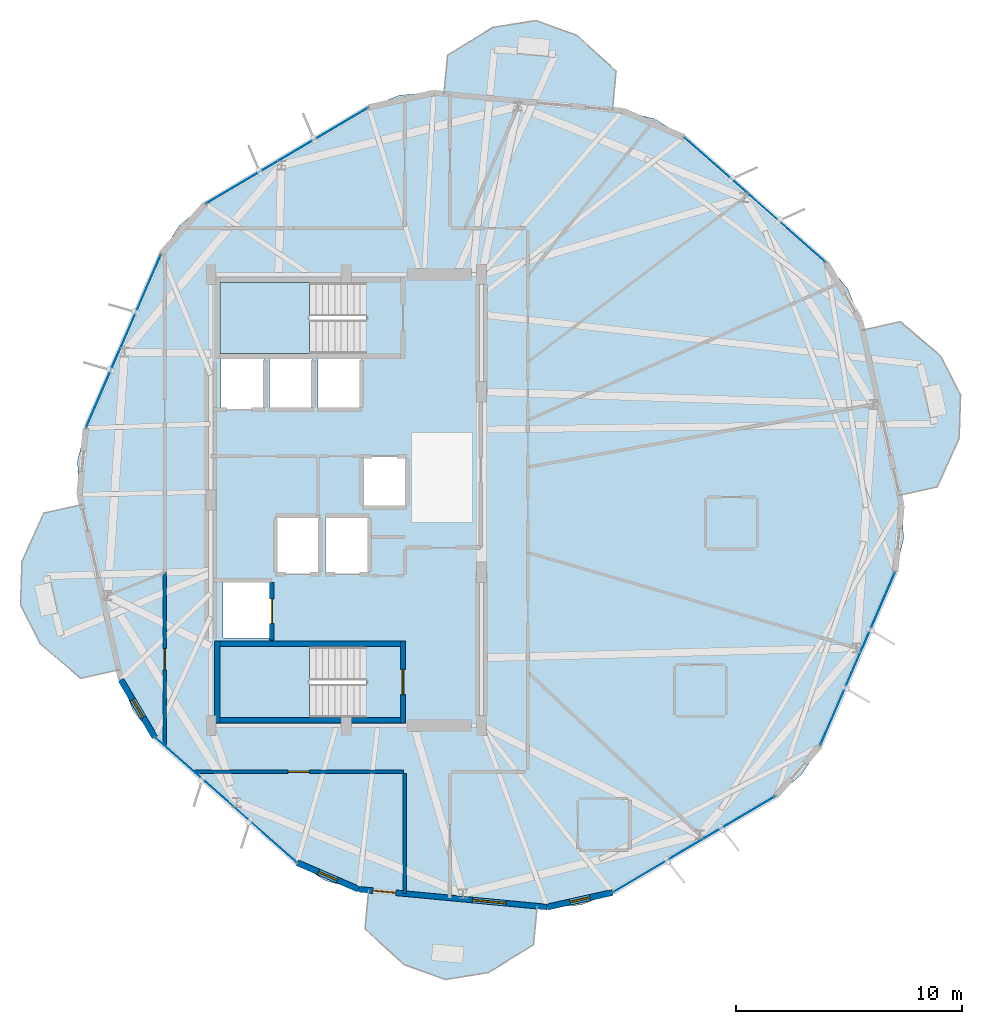
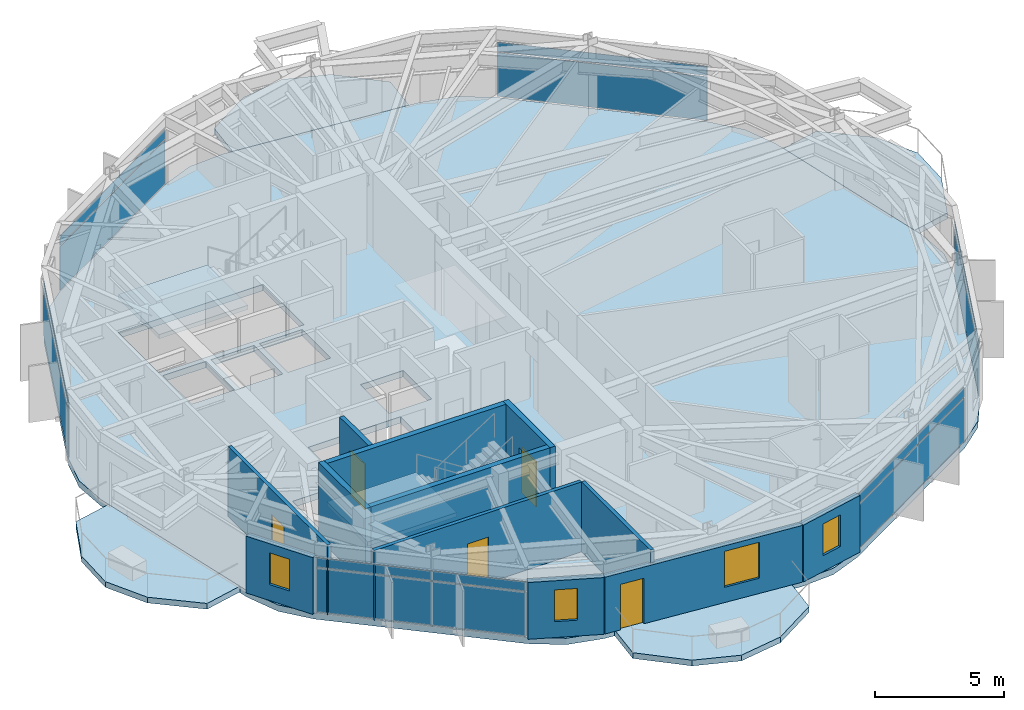
# One storey, part 15 of 21: 12 plates, 12 walls, 7 slabs, 5 doors, 4 windows, 9 openings, 8 elements without a shape of their own.
"""IFC4 building model written with IfcOpenShell, lengths in metres."""

from ifc_helpers import new_model, si_unit, direction, frame, frame_2d, origin, origin_2d, place, context, subcontext, project, spatial, polyline, rectangle, outline, extrude, material, layer, layer_set, type_object, element, fill, aggregate, save


model = new_model("IFC4")

# Units and contexts
model_context = context("Model", 3, precision=1e-05, world=origin(), true_north=direction((0.0, 1.0)))
body_context = subcontext(model_context, "Body", "Model", "MODEL_VIEW")
ifc_project = project(units=[si_unit("LENGTHUNIT", "METRE"), si_unit("AREAUNIT", "SQUARE_METRE"), si_unit("VOLUMEUNIT", "CUBIC_METRE"), si_unit("PLANEANGLEUNIT", "RADIAN"), si_unit("MASSUNIT", "GRAM", prefix="KILO")], contexts=[model_context])

# Site, building, storey
site_placement = place(None, origin())
site = spatial("IfcSite", under=ifc_project, at=site_placement, CompositionType="ELEMENT")
building_placement = place(site_placement, origin())
building = spatial("IfcBuilding", under=site, at=building_placement, Name="Soratama Intermodal Tower", CompositionType="ELEMENT")
storey_placement = place(building_placement, frame((0.0, 0.0, 146.199951171875)))
storey = spatial("IfcBuildingStorey", under=building, at=storey_placement, Name="L35", CompositionType="ELEMENT", Elevation=146.199951171875)

# Curtain wall, plates
ifc_material_1 = material(Name="Double-glazed aluminium curtain wall", Category="aluminium")
ifc_layer_1 = layer(ifc_material_1, 0.159912109375)
ifc_layer_set_1 = layer_set([ifc_layer_1], Name="Double-glazed aluminium curtain wall")
curtain_wall_type = type_object("IfcCurtainWallType", Name="CW-SYS-4", PredefinedType="NOTDEFINED", material=ifc_layer_set_1)
curtain_wall_1_placement = place(storey_placement, origin())
curtain_wall_1 = element("IfcCurtainWall", 1, at=curtain_wall_1_placement, inside=storey, type_object=curtain_wall_type, Name="L35 Faceted Curtain Wall F01", PredefinedType="NOTDEFINED")
ifc_material_2 = material(Name="Low-E laminated double glazing", Category="glass")
ifc_layer_2 = layer(ifc_material_2, 0.02392578125)
ifc_layer_set_2 = layer_set([ifc_layer_2], Name="Low-E laminated double glazing")
plate_type = type_object("IfcPlateType", Name="PT-CWP-4", PredefinedType="CURTAIN_PANEL", material=ifc_layer_set_2)
plate_1_placement = place(storey_placement, frame((56.7275390625, 38.302490234375, 0.06005859375), z_axis=(0.0, 0.0, 1.0), x_axis=(-0.750113474035, 0.661309138052, 0.0)))
plate_1 = element("IfcPlate", 2, at=plate_1_placement, type_object=plate_type, Name="CW-4 panel 1.1", PredefinedType="CURTAIN_PANEL", context=body_context, shape_type="SweptSolid", body=[
    extrude(rectangle(XDim=8.284912109375, YDim=0.028076171875, at=origin_2d()), origin(), (0.0, 0.0, 1.0), 2.06005859375),
])
plate_2_placement = place(storey_placement, frame((56.7275390625, 38.302490234375, 2.18017578125), z_axis=(0.0, 0.0, 1.0), x_axis=(-0.750113474035, 0.661309138052, 0.0)))
plate_2 = element("IfcPlate", 3, at=plate_2_placement, type_object=plate_type, Name="CW-4 panel 1.2", PredefinedType="CURTAIN_PANEL", context=body_context, shape_type="SweptSolid", body=[
    extrude(rectangle(XDim=8.284912109375, YDim=0.028076171875, at=origin_2d()), origin(), (0.0, 0.0, 1.0), 0.43896484375),
])
aggregate(curtain_wall_1, [plate_1, plate_2])

curtain_wall_2_placement = place(storey_placement, origin())
curtain_wall_2 = element("IfcCurtainWall", 4, at=curtain_wall_2_placement, inside=storey, type_object=curtain_wall_type, Name="L35 Faceted Curtain Wall F03", PredefinedType="NOTDEFINED")
plate_3_placement = place(storey_placement, frame((35.97265625, 40.264404296875, 0.06005859375), z_axis=(0.0, 0.0, 1.0), x_axis=(-0.860740534679, -0.509043939125, 0.0)))
plate_3 = element("IfcPlate", 5, at=plate_3_placement, type_object=plate_type, Name="CW-4 panel 1.1", PredefinedType="CURTAIN_PANEL", context=body_context, shape_type="SweptSolid", body=[
    extrude(rectangle(XDim=8.284912109375, YDim=0.028076171875, at=origin_2d()), origin(), (0.0, 0.0, 1.0), 2.06005859375),
])
plate_4_placement = place(storey_placement, frame((35.97265625, 40.264404296875, 2.18017578125), z_axis=(0.0, 0.0, 1.0), x_axis=(-0.860740534679, -0.509043939125, 0.0)))
plate_4 = element("IfcPlate", 6, at=plate_4_placement, type_object=plate_type, Name="CW-4 panel 1.2", PredefinedType="CURTAIN_PANEL", context=body_context, shape_type="SweptSolid", body=[
    extrude(rectangle(XDim=8.284912109375, YDim=0.028076171875, at=origin_2d()), origin(), (0.0, 0.0, 1.0), 0.43896484375),
])
aggregate(curtain_wall_2, [plate_3, plate_4])

curtain_wall_3_placement = place(storey_placement, origin())
curtain_wall_3 = element("IfcCurtainWall", 7, at=curtain_wall_3_placement, inside=storey, type_object=curtain_wall_type, Name="L35 Faceted Curtain Wall F04", PredefinedType="NOTDEFINED")
plate_5_placement = place(storey_placement, frame((28.724609375, 32.04296875, 0.06005859375), z_axis=(0.0, 0.0, 1.0), x_axis=(-0.397141944292, -0.917757198874, 0.0)))
plate_5 = element("IfcPlate", 8, at=plate_5_placement, type_object=plate_type, Name="CW-4 panel 1.1", PredefinedType="CURTAIN_PANEL", context=body_context, shape_type="SweptSolid", body=[
    extrude(rectangle(XDim=8.28515625, YDim=0.028076171875, at=origin_2d()), origin(), (0.0, 0.0, 1.0), 2.06005859375),
])
plate_6_placement = place(storey_placement, frame((28.724609375, 32.04296875, 2.18017578125), z_axis=(0.0, 0.0, 1.0), x_axis=(-0.397141944292, -0.917757198874, 0.0)))
plate_6 = element("IfcPlate", 9, at=plate_6_placement, type_object=plate_type, Name="CW-4 panel 1.2", PredefinedType="CURTAIN_PANEL", context=body_context, shape_type="SweptSolid", body=[
    extrude(rectangle(XDim=8.28515625, YDim=0.028076171875, at=origin_2d()), origin(), (0.0, 0.0, 1.0), 0.43896484375),
])
aggregate(curtain_wall_3, [plate_5, plate_6])

curtain_wall_4_placement = place(storey_placement, origin())
curtain_wall_4 = element("IfcCurtainWall", 10, at=curtain_wall_4_placement, inside=storey, type_object=curtain_wall_type, Name="L35 Faceted Curtain Wall F06", PredefinedType="NOTDEFINED")
plate_7_placement = place(storey_placement, frame((33.2724609375, 11.697509765625, 0.06005859375), z_axis=(0.0, 0.0, 1.0), x_axis=(0.750113474035, -0.661309138052, 0.0)))
plate_7 = element("IfcPlate", 11, at=plate_7_placement, type_object=plate_type, Name="CW-4 panel 1.1", PredefinedType="CURTAIN_PANEL", context=body_context, shape_type="SweptSolid", body=[
    extrude(rectangle(XDim=8.284912109375, YDim=0.028076171875, at=origin_2d()), origin(), (0.0, 0.0, 1.0), 2.06005859375),
])
plate_8_placement = place(storey_placement, frame((33.2724609375, 11.697509765625, 2.18017578125), z_axis=(0.0, 0.0, 1.0), x_axis=(0.750113474035, -0.661309138052, 0.0)))
plate_8 = element("IfcPlate", 12, at=plate_8_placement, type_object=plate_type, Name="CW-4 panel 1.2", PredefinedType="CURTAIN_PANEL", context=body_context, shape_type="SweptSolid", body=[
    extrude(rectangle(XDim=8.284912109375, YDim=0.028076171875, at=origin_2d()), origin(), (0.0, 0.0, 1.0), 0.43896484375),
])
aggregate(curtain_wall_4, [plate_7, plate_8])

curtain_wall_5_placement = place(storey_placement, origin())
curtain_wall_5 = element("IfcCurtainWall", 13, at=curtain_wall_5_placement, inside=storey, type_object=curtain_wall_type, Name="L35 Faceted Curtain Wall F08", PredefinedType="NOTDEFINED")
plate_9_placement = place(storey_placement, frame((54.02734375, 9.735595703125, 0.06005859375), z_axis=(0.0, 0.0, 1.0), x_axis=(0.860740534679, 0.509043939125, 0.0)))
plate_9 = element("IfcPlate", 14, at=plate_9_placement, type_object=plate_type, Name="CW-4 panel 1.1", PredefinedType="CURTAIN_PANEL", context=body_context, shape_type="SweptSolid", body=[
    extrude(rectangle(XDim=8.284912109375, YDim=0.028076171875, at=origin_2d()), origin(), (0.0, 0.0, 1.0), 2.06005859375),
])
plate_10_placement = place(storey_placement, frame((54.02734375, 9.735595703125, 2.18017578125), z_axis=(0.0, 0.0, 1.0), x_axis=(0.860740534679, 0.509043939125, 0.0)))
plate_10 = element("IfcPlate", 15, at=plate_10_placement, type_object=plate_type, Name="CW-4 panel 1.2", PredefinedType="CURTAIN_PANEL", context=body_context, shape_type="SweptSolid", body=[
    extrude(rectangle(XDim=8.284912109375, YDim=0.028076171875, at=origin_2d()), origin(), (0.0, 0.0, 1.0), 0.43896484375),
])
aggregate(curtain_wall_5, [plate_9, plate_10])

curtain_wall_6_placement = place(storey_placement, origin())
curtain_wall_6 = element("IfcCurtainWall", 16, at=curtain_wall_6_placement, inside=storey, type_object=curtain_wall_type, Name="L35 Faceted Curtain Wall F09", PredefinedType="NOTDEFINED")
plate_11_placement = place(storey_placement, frame((61.275390625, 17.95703125, 0.06005859375), z_axis=(0.0, 0.0, 1.0), x_axis=(0.397141944292, 0.917757198874, 0.0)))
plate_11 = element("IfcPlate", 17, at=plate_11_placement, type_object=plate_type, Name="CW-4 panel 1.1", PredefinedType="CURTAIN_PANEL", context=body_context, shape_type="SweptSolid", body=[
    extrude(rectangle(XDim=8.28515625, YDim=0.028076171875, at=origin_2d()), origin(), (0.0, 0.0, 1.0), 2.06005859375),
])
plate_12_placement = place(storey_placement, frame((61.275390625, 17.95703125, 2.18017578125), z_axis=(0.0, 0.0, 1.0), x_axis=(0.397141944292, 0.917757198874, 0.0)))
plate_12 = element("IfcPlate", 18, at=plate_12_placement, type_object=plate_type, Name="CW-4 panel 1.2", PredefinedType="CURTAIN_PANEL", context=body_context, shape_type="SweptSolid", body=[
    extrude(rectangle(XDim=8.28515625, YDim=0.028076171875, at=origin_2d()), origin(), (0.0, 0.0, 1.0), 0.43896484375),
])
aggregate(curtain_wall_6, [plate_11, plate_12])

# Slabs
ifc_material_3 = material(Name="Concrete f'c 42 MPa", Category="concrete")
ifc_layer_3 = layer(ifc_material_3, 0.27001953125)
ifc_layer_set_3 = layer_set([ifc_layer_3], Name="Concrete f'c 42 MPa")
slab_type_1 = type_object("IfcSlabType", Name="SL-EXT-BAL1", PredefinedType="FLOOR", material=ifc_layer_set_3)
slab_1_placement = place(storey_placement, frame((0.0, 0.0, -0.27001953125)))
element("IfcSlab", 19, at=slab_1_placement, inside=storey, type_object=slab_type_1, Name="L35 Planted Balcony East 1", PredefinedType="FLOOR", context=body_context, shape_type="SweptSolid", body=[
    extrude(outline(polyline([(63.12548828125, 25.20654296875), (61.48828125, 32.530517578125), (63.166748046875, 32.90576171875), (64.957275390625, 31.383544921875), (65.839599609375, 29.658203125), (65.77587890625, 27.721435546875), (64.803955078125, 25.581787109375), (63.12548828125, 25.20654296875)])), origin(), (0.0, 0.0, 1.0), 0.27001953125),
])
slab_2_placement = place(storey_placement, frame((0.0, 0.0, -0.27001953125)))
element("IfcSlab", 20, at=slab_2_placement, inside=storey, type_object=slab_type_1, Name="L35 Planted Balcony North 2", PredefinedType="FLOOR", context=body_context, shape_type="SweptSolid", body=[
    extrude(outline(polyline([(50.40478515625, 42.302001953125), (42.93310546875, 43.008544921875), (43.094970703125, 44.720703125), (45.09619140625, 45.953125), (47.009521484375, 46.25927734375), (48.831787109375, 45.60009765625), (50.566650390625, 44.014404296875), (50.40478515625, 42.302001953125)])), origin(), (0.0, 0.0, 1.0), 0.27001953125),
])
slab_3_placement = place(storey_placement, frame((0.0, 0.0, -0.27001953125)))
element("IfcSlab", 21, at=slab_3_placement, inside=storey, type_object=slab_type_1, Name="L35 Planted Balcony West 3", PredefinedType="FLOOR", context=body_context, shape_type="SweptSolid", body=[
    extrude(outline(polyline([(26.87451171875, 24.79345703125), (28.51171875, 17.469482421875), (26.833251953125, 17.09423828125), (25.042724609375, 18.616455078125), (24.160400390625, 20.341796875), (24.22412109375, 22.278564453125), (25.196044921875, 24.418212890625), (26.87451171875, 24.79345703125)])), origin(), (0.0, 0.0, 1.0), 0.27001953125),
])
slab_4_placement = place(storey_placement, frame((0.0, 0.0, -0.27001953125)))
element("IfcSlab", 22, at=slab_4_placement, inside=storey, type_object=slab_type_1, Name="L35 Planted Balcony South 4", PredefinedType="FLOOR", context=body_context, shape_type="SweptSolid", body=[
    extrude(outline(polyline([(39.59521484375, 7.697998046875), (47.06689453125, 6.991455078125), (46.905029296875, 5.279296875), (44.90380859375, 4.046875), (42.990478515625, 3.74072265625), (41.168212890625, 4.39990234375), (39.433349609375, 5.985595703125), (39.59521484375, 7.697998046875)])), origin(), (0.0, 0.0, 1.0), 0.27001953125),
])

# Stair, slab
ifc_material_4 = material(Name="Concrete f'c 42 MPa", Category="concrete")
stair_type = type_object("IfcStairType", Name="ST-CORE-DOGLEG", PredefinedType="HALF_TURN_STAIR", material=ifc_material_4)
stair_1_placement = place(storey_placement, origin())
stair_1 = element("IfcStair", 23, at=stair_1_placement, inside=storey, type_object=stair_type, Name="L35 ST-1", PredefinedType="HALF_TURN_STAIR")
ifc_material_5 = material(Name="Concrete f'c 42 MPa", Category="concrete")
ifc_layer_4 = layer(ifc_material_5, 0.219970703125)
ifc_layer_set_4 = layer_set([ifc_layer_4], Name="Concrete f'c 42 MPa")
slab_type_2 = type_object("IfcSlabType", Name="SL-STAIR-LAND", PredefinedType="LANDING", material=ifc_layer_set_4)
slab_5_placement = place(storey_placement, frame((0.0, 0.0, 1.60009765625)))
slab_5 = element("IfcSlab", 24, at=slab_5_placement, type_object=slab_type_2, Name="ST-1 landing 1", PredefinedType="LANDING", context=body_context, shape_type="SweptSolid", body=[
    extrude(outline(polyline([(36.97998046875, 18.5), (33.0, 18.5), (33.0, 15.35009765625), (36.97998046875, 15.35009765625), (36.97998046875, 18.5)])), origin(), (0.0, 0.0, 1.0), 0.199951171875),
])
aggregate(stair_1, [slab_5])

stair_2_placement = place(storey_placement, origin())
stair_2 = element("IfcStair", 25, at=stair_2_placement, inside=storey, type_object=stair_type, Name="L35 ST-2", PredefinedType="HALF_TURN_STAIR")
slab_6_placement = place(storey_placement, frame((0.0, 0.0, 1.60009765625)))
slab_6 = element("IfcSlab", 26, at=slab_6_placement, type_object=slab_type_2, Name="ST-2 landing 1", PredefinedType="LANDING", context=body_context, shape_type="SweptSolid", body=[
    extrude(outline(polyline([(36.97998046875, 34.64990234375), (33.0, 34.64990234375), (33.0, 31.5), (36.97998046875, 31.5), (36.97998046875, 34.64990234375)])), origin(), (0.0, 0.0, 1.0), 0.199951171875),
])
aggregate(stair_2, [slab_6])

# Slab
ifc_material_6 = material(Name="Concrete f'c 42 MPa", Category="concrete")
ifc_layer_5 = layer(ifc_material_6, 0.280029296875)
ifc_layer_set_5 = layer_set([ifc_layer_5], Name="Concrete f'c 42 MPa")
slab_type_3 = type_object("IfcSlabType", Name="SL-TWR-280", PredefinedType="FLOOR", material=ifc_layer_set_5)
slab_7_placement = place(storey_placement, frame((0.0, 0.0, -0.300048828125)))
element("IfcSlab", 27, at=slab_7_placement, inside=storey, type_object=slab_type_3, Name="L35 Structural Floor Slab", PredefinedType="FLOOR", context=body_context, shape_type="SweptSolid", body=[
    extrude(outline(polyline([(61.39013671875, 32.9697265625), (60.83740234375, 34.3662109375), (59.8798828125, 35.523193359375), (53.5751953125, 41.08154296875), (52.307373046875, 41.88623046875), (50.852783203125, 42.259765625), (42.485107421875, 43.05078125), (40.986328125, 42.95654296875), (39.58984375, 42.403564453125), (32.35546875, 38.125), (31.1982421875, 37.16796875), (30.3935546875, 35.89990234375), (27.0556640625, 28.18603515625), (26.68212890625, 26.731689453125), (26.7763671875, 25.232666015625), (28.60986328125, 17.0302734375), (29.16259765625, 15.6337890625), (30.1201171875, 14.476806640625), (36.4248046875, 8.91845703125), (37.692626953125, 8.11376953125), (39.147216796875, 7.740234375), (47.514892578125, 6.94921875), (49.013671875, 7.04345703125), (50.41015625, 7.596435546875), (57.64453125, 11.875), (58.8017578125, 12.83203125), (59.6064453125, 14.10009765625), (62.9443359375, 21.81396484375), (63.31787109375, 23.268310546875), (63.2236328125, 24.767333984375), (61.39013671875, 32.9697265625)]), holes=[polyline([(33.0, 18.5), (33.0, 15.35009765625), (39.47509765625, 15.35009765625), (39.47509765625, 18.5), (33.0, 18.5)]), polyline([(35.260009765625, 21.409912109375), (33.139892578125, 21.409912109375), (33.139892578125, 18.889892578125), (35.260009765625, 18.889892578125), (35.260009765625, 21.409912109375)]), polyline([(37.409912109375, 24.260009765625), (35.489990234375, 24.260009765625), (35.489990234375, 21.739990234375), (37.409912109375, 21.739990234375), (37.409912109375, 24.260009765625)]), polyline([(39.610107421875, 24.260009765625), (37.68994140625, 24.260009765625), (37.68994140625, 21.739990234375), (39.610107421875, 21.739990234375), (39.610107421875, 24.260009765625)]), polyline([(41.260009765625, 26.909912109375), (39.340087890625, 26.909912109375), (39.340087890625, 24.68994140625), (41.260009765625, 24.68994140625), (41.260009765625, 26.909912109375)]), polyline([(34.9599609375, 31.260009765625), (33.0400390625, 31.260009765625), (33.0400390625, 29.0400390625), (34.9599609375, 29.0400390625), (34.9599609375, 31.260009765625)]), polyline([(37.110107421875, 31.260009765625), (35.18994140625, 31.260009765625), (35.18994140625, 29.0400390625), (37.110107421875, 29.0400390625), (37.110107421875, 31.260009765625)]), polyline([(39.260009765625, 29.0400390625), (39.260009765625, 31.260009765625), (37.340087890625, 31.260009765625), (37.340087890625, 29.0400390625), (39.260009765625, 29.0400390625)]), polyline([(39.47509765625, 34.64990234375), (33.0, 34.64990234375), (33.0, 31.5), (39.47509765625, 31.5), (39.47509765625, 34.64990234375)])]), origin(), (0.0, 0.0, 1.0), 0.300048828125),
])

# Wall, openings, door, window
ifc_material_7 = material(Name="Concrete f'c 42 MPa", Category="concrete")
ifc_layer_6 = layer(ifc_material_7, 0.25)
ifc_layer_set_6 = layer_set([ifc_layer_6], Name="Concrete f'c 42 MPa")
wall_type_1 = type_object("IfcWallType", Name="EW-BAL-250", PredefinedType="SOLIDWALL", material=ifc_layer_set_6)
wall_1_placement = place(storey_placement, frame((39.147216796875, 7.740234375, 0.0), z_axis=(0.0, 0.0, 1.0), x_axis=(0.995561547902, -0.094112721457, 0.0)))
wall_1 = element("IfcWall", 28, at=wall_1_placement, inside=storey, type_object=wall_type_1, Name="L35 Terrace Wall F07", PredefinedType="SOLIDWALL", context=body_context, shape_type="SweptSolid", body=[
    extrude(rectangle(XDim=8.405029296875, YDim=0.25, at=frame_2d((4.20263671875, 0.0))), origin(), (0.0, 0.0, 1.0), 2.678955078125),
])
opening_1_placement = place(wall_1_placement, frame((0.64990234375, 0.0, 0.0)))
opening_1 = element("IfcOpeningElement", 29, at=opening_1_placement, cuts=wall_1, Name="Opening ED-2", PredefinedType="OPENING", context=body_context, shape_type="SweptSolid", body=[
    extrude(rectangle(XDim=1.0, YDim=2.14990234375, at=frame_2d((0.5, 1.074951171875))), frame((0.0, 0.135009765625, 0.0), z_axis=(0.0, -1.0, 0.0), x_axis=(1.0, 0.0, 0.0)), (0.0, 0.0, 1.0), 0.27001953125),
])
opening_2_placement = place(wall_1_placement, frame((5.0732421875, 0.0, 0.719970703125)))
opening_2 = element("IfcOpeningElement", 30, at=opening_2_placement, cuts=wall_1, Name="Opening WN-1", PredefinedType="OPENING", context=body_context, shape_type="SweptSolid", body=[
    extrude(rectangle(XDim=1.5, YDim=1.699951171875, at=frame_2d((0.75, 0.85009765625))), frame((0.0, 0.135009765625, 0.0), z_axis=(0.0, -1.0, 0.0), x_axis=(1.0, 0.0, 0.0)), (0.0, 0.0, 1.0), 0.27001953125),
])
ifc_material_8 = material(Name="Double-glazed aluminium door", Category="aluminium")
door_type_1 = type_object("IfcDoorType", Name="DR-BAL-1000", OperationType="NOTDEFINED", PredefinedType="DOOR", material=ifc_material_8)
door_1_placement = place(opening_1_placement, origin())
door_1 = element("IfcDoor", 31, at=door_1_placement, inside=storey, type_object=door_type_1, Name="L35 Balcony Door F07", OperationType="SINGLE_SWING_LEFT", OverallHeight=2.14990234375, OverallWidth=1.0, PredefinedType="DOOR", context=body_context, shape_type="SweptSolid", body=[
    extrude(rectangle(XDim=1.0, YDim=2.14990234375, at=frame_2d((0.5, 1.074951171875))), frame((0.0, 0.02490234375, 0.0), z_axis=(0.0, -1.0, 0.0), x_axis=(1.0, 0.0, 0.0)), (0.0, 0.0, 1.0), 0.050048828125),
])
fill(opening_1, door_1)
ifc_material_9 = material(Name="Double-glazed aluminium window", Category="aluminium")
window_type_1 = type_object("IfcWindowType", Name="WN-FAC-1500", PartitioningType="SINGLE_PANEL", PredefinedType="WINDOW", material=ifc_material_9)
window_1_placement = place(opening_2_placement, origin())
window_1 = element("IfcWindow", 32, at=window_1_placement, inside=storey, type_object=window_type_1, Name="L35 Window B F07", OverallHeight=1.699951171875, OverallWidth=1.5, PartitioningType="SINGLE_PANEL", PredefinedType="WINDOW", context=body_context, shape_type="SweptSolid", body=[
    extrude(rectangle(XDim=1.5, YDim=1.699951171875, at=frame_2d((0.75, 0.85009765625))), frame((0.0, 0.030029296875, 0.0), z_axis=(0.0, -1.0, 0.0), x_axis=(1.0, 0.0, 0.0)), (0.0, 0.0, 1.0), 0.06005859375),
])
fill(opening_2, window_1)

# Wall, opening, window
ifc_material_10 = material(Name="Concrete f'c 42 MPa", Category="concrete")
ifc_layer_7 = layer(ifc_material_10, 0.27001953125)
ifc_layer_set_7 = layer_set([ifc_layer_7], Name="Concrete f'c 42 MPa")
wall_type_2 = type_object("IfcWallType", Name="EW-CRN-270", PredefinedType="SOLIDWALL", material=ifc_layer_set_7)
wall_2_placement = place(storey_placement, frame((28.60986328125, 17.0302734375, 0.0), z_axis=(0.0, 0.0, 1.0), x_axis=(0.509075841799, -0.860721666566, 0.0)))
wall_2 = element("IfcWall", 33, at=wall_2_placement, inside=storey, type_object=wall_type_2, Name="L35 Corner Closure Wall 05", PredefinedType="SOLIDWALL", context=body_context, shape_type="SweptSolid", body=[
    extrude(rectangle(XDim=2.966552734375, YDim=0.27001953125, at=frame_2d((1.4833984375, 0.0))), origin(), (0.0, 0.0, 1.0), 2.678955078125),
])
opening_3_placement = place(wall_2_placement, frame((1.033203125, 0.0, 0.75)))
opening_3 = element("IfcOpeningElement", 34, at=opening_3_placement, cuts=wall_2, Name="Opening WN-6", PredefinedType="OPENING", context=body_context, shape_type="SweptSolid", body=[
    extrude(rectangle(XDim=0.89990234375, YDim=1.5, at=frame_2d((0.449951171875, 0.75))), frame((0.0, 0.14501953125, 0.0), z_axis=(0.0, -1.0, 0.0), x_axis=(1.0, 0.0, 0.0)), (0.0, 0.0, 1.0), 0.2900390625),
])
ifc_material_11 = material(Name="Double-glazed aluminium window", Category="aluminium")
window_type_2 = type_object("IfcWindowType", Name="WN-FAC-900", PartitioningType="SINGLE_PANEL", PredefinedType="WINDOW", material=ifc_material_11)
window_2_placement = place(opening_3_placement, origin())
window_2 = element("IfcWindow", 35, at=window_2_placement, inside=storey, type_object=window_type_2, Name="L35 Corner Window 05", OverallHeight=1.5, OverallWidth=0.89990234375, PartitioningType="SINGLE_PANEL", PredefinedType="WINDOW", context=body_context, shape_type="SweptSolid", body=[
    extrude(rectangle(XDim=0.89990234375, YDim=1.5, at=frame_2d((0.449951171875, 0.75))), frame((0.0, 0.030029296875, 0.0), z_axis=(0.0, -1.0, 0.0), x_axis=(1.0, 0.0, 0.0)), (0.0, 0.0, 1.0), 0.06005859375),
])
fill(opening_3, window_2)

wall_3_placement = place(storey_placement, frame((36.4248046875, 8.91845703125, 0.0), z_axis=(0.0, 0.0, 1.0), x_axis=(0.917738684301, -0.397184726969, 0.0)))
wall_3 = element("IfcWall", 36, at=wall_3_placement, inside=storey, type_object=wall_type_2, Name="L35 Corner Closure Wall 06", PredefinedType="SOLIDWALL", context=body_context, shape_type="SweptSolid", body=[
    extrude(rectangle(XDim=2.966552734375, YDim=0.27001953125, at=frame_2d((1.4833984375, 0.0))), origin(), (0.0, 0.0, 1.0), 2.678955078125),
])
opening_4_placement = place(wall_3_placement, frame((1.033203125, 0.0, 0.75)))
opening_4 = element("IfcOpeningElement", 37, at=opening_4_placement, cuts=wall_3, Name="Opening WN-6", PredefinedType="OPENING", context=body_context, shape_type="SweptSolid", body=[
    extrude(rectangle(XDim=0.89990234375, YDim=1.5, at=frame_2d((0.449951171875, 0.75))), frame((0.0, 0.14501953125, 0.0), z_axis=(0.0, -1.0, 0.0), x_axis=(1.0, 0.0, 0.0)), (0.0, 0.0, 1.0), 0.2900390625),
])
window_3_placement = place(opening_4_placement, origin())
window_3 = element("IfcWindow", 38, at=window_3_placement, inside=storey, type_object=window_type_2, Name="L35 Corner Window 06", OverallHeight=1.5, OverallWidth=0.89990234375, PartitioningType="SINGLE_PANEL", PredefinedType="WINDOW", context=body_context, shape_type="SweptSolid", body=[
    extrude(rectangle(XDim=0.89990234375, YDim=1.5, at=frame_2d((0.449951171875, 0.75))), frame((0.0, 0.030029296875, 0.0), z_axis=(0.0, -1.0, 0.0), x_axis=(1.0, 0.0, 0.0)), (0.0, 0.0, 1.0), 0.06005859375),
])
fill(opening_4, window_3)

wall_4_placement = place(storey_placement, frame((47.514892578125, 6.94921875, 0.0), z_axis=(0.0, 0.0, 1.0), x_axis=(0.975913267769, 0.218158872827, 0.0)))
wall_4 = element("IfcWall", 39, at=wall_4_placement, inside=storey, type_object=wall_type_2, Name="L35 Corner Closure Wall 07", PredefinedType="SOLIDWALL", context=body_context, shape_type="SweptSolid", body=[
    extrude(rectangle(XDim=2.966796875, YDim=0.27001953125, at=frame_2d((1.4833984375, 0.0))), origin(), (0.0, 0.0, 1.0), 2.678955078125),
])
opening_5_placement = place(wall_4_placement, frame((1.033203125, 0.0, 0.75)))
opening_5 = element("IfcOpeningElement", 40, at=opening_5_placement, cuts=wall_4, Name="Opening WN-6", PredefinedType="OPENING", context=body_context, shape_type="SweptSolid", body=[
    extrude(rectangle(XDim=0.89990234375, YDim=1.5, at=frame_2d((0.449951171875, 0.75))), frame((0.0, 0.14501953125, 0.0), z_axis=(0.0, -1.0, 0.0), x_axis=(1.0, 0.0, 0.0)), (0.0, 0.0, 1.0), 0.2900390625),
])
window_4_placement = place(opening_5_placement, origin())
window_4 = element("IfcWindow", 41, at=window_4_placement, inside=storey, type_object=window_type_2, Name="L35 Corner Window 07", OverallHeight=1.5, OverallWidth=0.89990234375, PartitioningType="SINGLE_PANEL", PredefinedType="WINDOW", context=body_context, shape_type="SweptSolid", body=[
    extrude(rectangle(XDim=0.89990234375, YDim=1.5, at=frame_2d((0.449951171875, 0.75))), frame((0.0, 0.030029296875, 0.0), z_axis=(0.0, -1.0, 0.0), x_axis=(1.0, 0.0, 0.0)), (0.0, 0.0, 1.0), 0.06005859375),
])
fill(opening_5, window_4)

# Wall, opening, door
ifc_material_12 = material(Name="Fire-rated gypsum stud partition", Category="concrete")
ifc_layer_8 = layer(ifc_material_12, 0.159912109375)
ifc_layer_set_8 = layer_set([ifc_layer_8], Name="Fire-rated gypsum stud partition")
wall_type_3 = type_object("IfcWallType", Name="IW-PART-R160", PredefinedType="PARTITIONING", material=ifc_layer_set_8)
wall_5_placement = place(storey_placement, frame((41.1298828125, 12.949951171875, 0.0), z_axis=(0.0, 0.0, 1.0), x_axis=(-1.0, 0.0, 0.0)))
wall_5 = element("IfcWall", 42, at=wall_5_placement, inside=storey, type_object=wall_type_3, Name="L35 Partition W-L35-TP007", PredefinedType="PARTITIONING", context=body_context, shape_type="SweptSolid", body=[
    extrude(rectangle(XDim=9.27783203125, YDim=0.159912109375, at=frame_2d((4.638916015625, 0.0))), origin(), (0.0, 0.0, 1.0), 3.300048828125),
])
opening_6_placement = place(wall_5_placement, frame((4.1640625, 0.0, 0.0)))
opening_6 = element("IfcOpeningElement", 43, at=opening_6_placement, cuts=wall_5, Name="Opening ID-3", PredefinedType="OPENING", context=body_context, shape_type="SweptSolid", body=[
    extrude(rectangle(XDim=0.949951171875, YDim=2.14990234375, at=frame_2d((0.47509765625, 1.074951171875))), frame((0.0, 0.08984375, 0.0), z_axis=(0.0, -1.0, 0.0), x_axis=(1.0, 0.0, 0.0)), (0.0, 0.0, 1.0), 0.179931640625),
])
ifc_material_13 = material(Name="Solid hardwood acoustic door", Category="wood")
door_type_2 = type_object("IfcDoorType", Name="DR-ROOM-950", OperationType="NOTDEFINED", PredefinedType="DOOR", material=ifc_material_13)
door_2_placement = place(opening_6_placement, origin())
door_2 = element("IfcDoor", 44, at=door_2_placement, inside=storey, type_object=door_type_2, Name="L35 Door D-L35-TP002", OperationType="SINGLE_SWING_LEFT", OverallHeight=2.14990234375, OverallWidth=0.949951171875, PredefinedType="DOOR", context=body_context, shape_type="SweptSolid", body=[
    extrude(rectangle(XDim=0.949951171875, YDim=2.14990234375, at=frame_2d((0.47509765625, 1.074951171875))), frame((0.0, 0.02490234375, 0.0), z_axis=(0.0, -1.0, 0.0), x_axis=(1.0, 0.0, 0.0)), (0.0, 0.0, 1.0), 0.050048828125),
])
fill(opening_6, door_2)

wall_6_placement = place(storey_placement, frame((30.550048828125, 14.097900390625, 0.0), z_axis=(0.0, 0.0, 1.0), x_axis=(0.0, 1.0, 0.0)))
wall_6 = element("IfcWall", 45, at=wall_6_placement, inside=storey, type_object=wall_type_3, Name="L35 Partition W-L35-TP009", PredefinedType="PARTITIONING", context=body_context, shape_type="SweptSolid", body=[
    extrude(rectangle(XDim=7.68017578125, YDim=0.159912109375, at=frame_2d((3.840087890625, 0.0))), origin(), (0.0, 0.0, 1.0), 3.300048828125),
])
opening_7_placement = place(wall_6_placement, frame((3.364990234375, 0.0, 0.0)))
opening_7 = element("IfcOpeningElement", 46, at=opening_7_placement, cuts=wall_6, Name="Opening ID-3", PredefinedType="OPENING", context=body_context, shape_type="SweptSolid", body=[
    extrude(rectangle(XDim=0.949951171875, YDim=2.14990234375, at=frame_2d((0.47509765625, 1.074951171875))), frame((0.0, 0.08984375, 0.0), z_axis=(0.0, -1.0, 0.0), x_axis=(1.0, 0.0, 0.0)), (0.0, 0.0, 1.0), 0.179931640625),
])
door_3_placement = place(opening_7_placement, origin())
door_3 = element("IfcDoor", 47, at=door_3_placement, inside=storey, type_object=door_type_2, Name="L35 Door D-L35-TP003", OperationType="SINGLE_SWING_RIGHT", OverallHeight=2.14990234375, OverallWidth=0.949951171875, PredefinedType="DOOR", context=body_context, shape_type="SweptSolid", body=[
    extrude(rectangle(XDim=0.949951171875, YDim=2.14990234375, at=frame_2d((0.47509765625, 1.074951171875))), frame((0.0, 0.02490234375, 0.0), z_axis=(0.0, -1.0, 0.0), x_axis=(1.0, 0.0, 0.0)), (0.0, 0.0, 1.0), 0.050048828125),
])
fill(opening_7, door_3)

# Wall
wall_7_placement = place(storey_placement, frame((41.199951171875, 7.5458984375, 0.0), z_axis=(0.0, 0.0, 1.0), x_axis=(0.0, 1.0, 0.0)))
element("IfcWall", 48, at=wall_7_placement, inside=storey, type_object=wall_type_3, Name="L35 Partition W-L35-TP015", PredefinedType="PARTITIONING", context=body_context, shape_type="SweptSolid", body=[
    extrude(rectangle(XDim=5.333984375, YDim=0.159912109375, at=frame_2d((2.6669921875, 0.0))), origin(), (0.0, 0.0, 1.0), 3.300048828125),
])

# Wall, opening, door
ifc_material_14 = material(Name="Concrete f'c 42 MPa", Category="concrete")
ifc_layer_9 = layer(ifc_material_14, 0.199951171875)
ifc_layer_set_9 = layer_set([ifc_layer_9], Name="Concrete f'c 42 MPa")
wall_type_4 = type_object("IfcWallType", Name="IW-SHAFT-200", PredefinedType="SOLIDWALL", material=ifc_layer_set_9)
wall_8_placement = place(storey_placement, frame((35.300048828125, 18.7900390625, 0.0), z_axis=(0.0, 0.0, 1.0), x_axis=(0.0, 1.0, 0.0)))
wall_8 = element("IfcWall", 49, at=wall_8_placement, inside=storey, type_object=wall_type_4, Name="L35 SVL-1 Hoistway Wall E", PredefinedType="SOLIDWALL", context=body_context, shape_type="SweptSolid", body=[
    extrude(rectangle(XDim=2.550048828125, YDim=0.199951171875, at=frame_2d((1.27490234375, 0.0))), origin(), (0.0, 0.0, 1.0), 3.300048828125),
])
opening_8_placement = place(wall_8_placement, frame((0.72509765625, 0.0, 0.0)))
opening_8 = element("IfcOpeningElement", 50, at=opening_8_placement, cuts=wall_8, Name="Opening LD-1", PredefinedType="OPENING", context=body_context, shape_type="SweptSolid", body=[
    extrude(rectangle(XDim=1.10009765625, YDim=2.14990234375, at=frame_2d((0.550048828125, 1.074951171875))), frame((0.0, 0.10986328125, 0.0), z_axis=(0.0, -1.0, 0.0), x_axis=(1.0, 0.0, 0.0)), (0.0, 0.0, 1.0), 0.219970703125),
])
ifc_material_15 = material(Name="Steel fire door", Category="steel")
door_type_3 = type_object("IfcDoorType", Name="DR-LIFT-SLIDE", OperationType="NOTDEFINED", PredefinedType="DOOR", material=ifc_material_15)
door_4_placement = place(opening_8_placement, origin())
door_4 = element("IfcDoor", 51, at=door_4_placement, inside=storey, type_object=door_type_3, Name="L35 SVL-1 Sliding Landing Door", OperationType="SLIDING_TO_LEFT", OverallHeight=2.14990234375, OverallWidth=1.10009765625, PredefinedType="DOOR", context=body_context, shape_type="SweptSolid", body=[
    extrude(rectangle(XDim=1.10009765625, YDim=2.14990234375, at=frame_2d((0.550048828125, 1.074951171875))), frame((0.0, 0.02490234375, 0.0), z_axis=(0.0, -1.0, 0.0), x_axis=(1.0, 0.0, 0.0)), (0.0, 0.0, 1.0), 0.050048828125),
])
fill(opening_8, door_4)

# Wall
ifc_material_16 = material(Name="Concrete f'c 56 MPa", Category="concrete")
ifc_layer_10 = layer(ifc_material_16, 0.239990234375)
ifc_layer_set_10 = layer_set([ifc_layer_10], Name="Concrete f'c 56 MPa")
wall_type_5 = type_object("IfcWallType", Name="SW-STAIR-240", PredefinedType="SHEAR", material=ifc_layer_set_10)
wall_9_placement = place(storey_placement, frame((32.8798828125, 15.110107421875, 0.0), z_axis=(0.0, 0.0, 1.0), x_axis=(0.0, 1.0, 0.0)))
element("IfcWall", 52, at=wall_9_placement, inside=storey, type_object=wall_type_5, Name="L35 ST-1 Shaft Shear Wall W", PredefinedType="SHEAR", context=body_context, shape_type="SweptSolid", body=[
    extrude(rectangle(XDim=3.6298828125, YDim=0.239990234375, at=frame_2d((1.81494140625, 0.0))), origin(), (0.0, 0.0, 1.0), 3.60009765625),
])

# Wall, opening, door
wall_10_placement = place(storey_placement, frame((41.1201171875, 15.110107421875, 0.0), z_axis=(0.0, 0.0, 1.0), x_axis=(0.0, 1.0, 0.0)))
wall_10 = element("IfcWall", 53, at=wall_10_placement, inside=storey, type_object=wall_type_5, Name="L35 ST-1 Shaft Shear Wall E", PredefinedType="SHEAR", context=body_context, shape_type="SweptSolid", body=[
    extrude(rectangle(XDim=3.6298828125, YDim=0.239990234375, at=frame_2d((1.81494140625, 0.0))), origin(), (0.0, 0.0, 1.0), 3.60009765625),
])
opening_9_placement = place(wall_10_placement, frame((1.2548828125, 0.0, 0.0)))
opening_9 = element("IfcOpeningElement", 54, at=opening_9_placement, cuts=wall_10, Name="Opening SD-1", PredefinedType="OPENING", context=body_context, shape_type="SweptSolid", body=[
    extrude(rectangle(XDim=1.1201171875, YDim=2.14990234375, at=frame_2d((0.56005859375, 1.074951171875))), frame((0.0, 0.1298828125, 0.0), z_axis=(0.0, -1.0, 0.0), x_axis=(1.0, 0.0, 0.0)), (0.0, 0.0, 1.0), 0.260009765625),
])
ifc_material_17 = material(Name="Steel fire door", Category="steel")
door_type_4 = type_object("IfcDoorType", Name="DR-STAIR-FD90", OperationType="NOTDEFINED", PredefinedType="DOOR", material=ifc_material_17)
door_5_placement = place(opening_9_placement, origin())
door_5 = element("IfcDoor", 55, at=door_5_placement, inside=storey, type_object=door_type_4, Name="L35 ST-1 Exit Stair Door", OperationType="SINGLE_SWING_LEFT", OverallHeight=2.14990234375, OverallWidth=1.1201171875, PredefinedType="DOOR", context=body_context, shape_type="SweptSolid", body=[
    extrude(rectangle(XDim=1.1201171875, YDim=2.14990234375, at=frame_2d((0.56005859375, 1.074951171875))), frame((0.0, 0.02490234375, 0.0), z_axis=(0.0, -1.0, 0.0), x_axis=(1.0, 0.0, 0.0)), (0.0, 0.0, 1.0), 0.050048828125),
])
fill(opening_9, door_5)

# Walls
for number, where, z_axis, x_axis, name in (
    (56, (33.0, 15.22998046875, 0.0), (0.0, 0.0, 1.0), (1.0, 0.0, 0.0), "L35 ST-1 Shaft Shear Wall S"),
    (57, (33.0, 18.6201171875, 0.0), (0.0, 0.0, 1.0), (1.0, 0.0, 0.0), "L35 ST-1 Shaft Shear Wall N"),
):
    element("IfcWall", number, at=place(storey_placement, frame(where, z_axis=z_axis, x_axis=x_axis)), inside=storey, type_object=wall_type_5, Name=name, PredefinedType="SHEAR", context=body_context, shape_type="SweptSolid", body=[
        extrude(rectangle(XDim=8.0, YDim=0.239990234375, at=frame_2d((4.0, 0.0))), origin(), (0.0, 0.0, 1.0), 3.60009765625),
    ])

save(model, "model.ifc")
